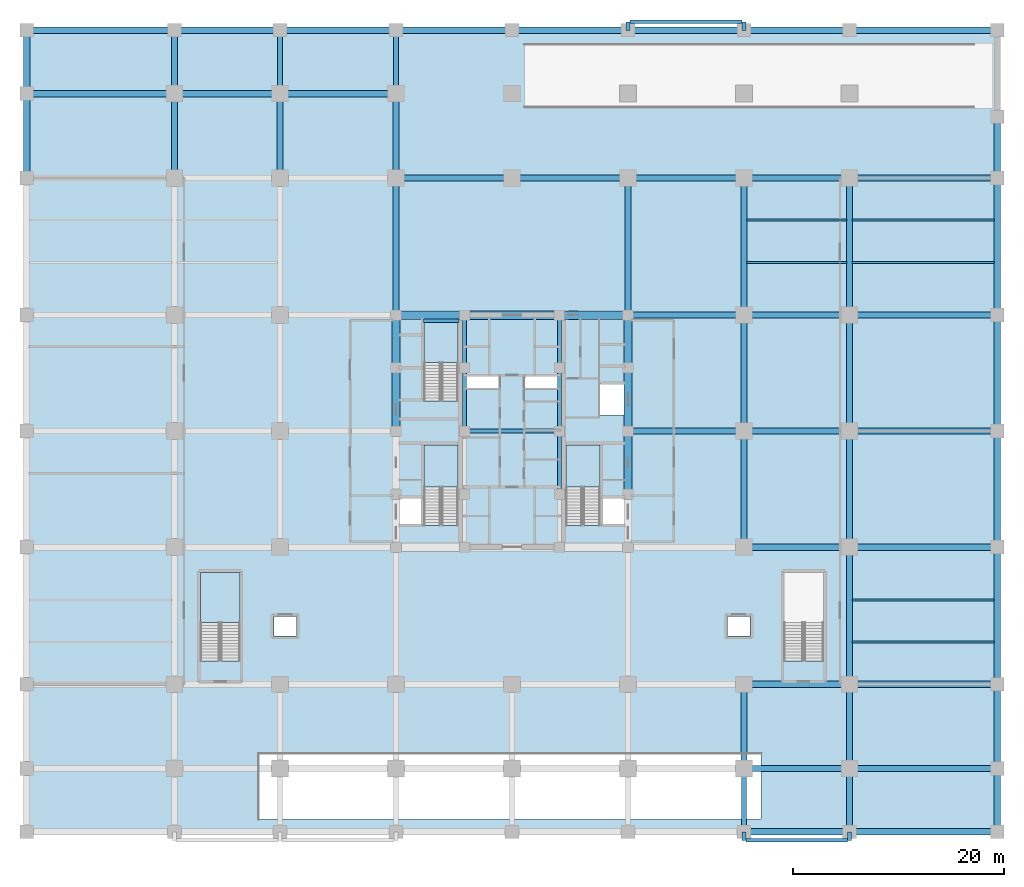
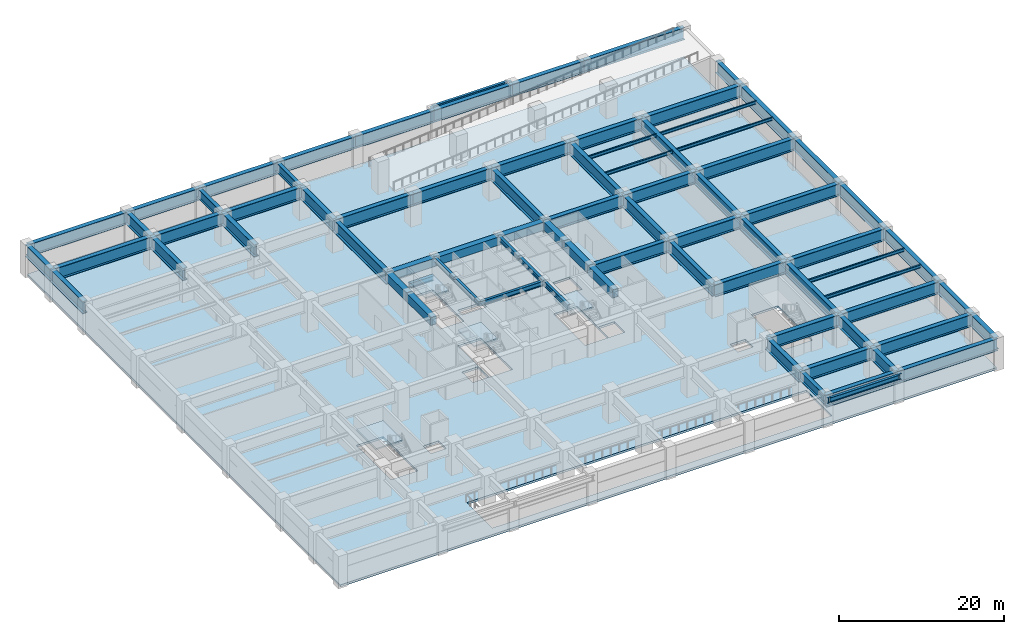
# One storey, part 2 of 13: 85 beams, 5 slabs, 4 elements without a shape of their own.
"""IFC4 building model written with IfcOpenShell, lengths in metres."""

from ifc_helpers import new_model, si_unit, direction, frame, origin, origin_2d, place, context, subcontext, project, spatial, polyline, rectangle, i_section, outline, extrude, source, transform, mapped, material, layer, layer_set, material_profile, profile_set, type_object, element, aggregate, save


model = new_model("IFC4")

# Units and contexts
model_context = context("Model", 3, precision=1e-05, world=origin(), true_north=direction((0.0, 1.0)))
body_context = subcontext(model_context, "Body", "Model", "MODEL_VIEW")
ifc_project = project(units=[si_unit("LENGTHUNIT", "METRE"), si_unit("AREAUNIT", "SQUARE_METRE"), si_unit("VOLUMEUNIT", "CUBIC_METRE"), si_unit("PLANEANGLEUNIT", "RADIAN"), si_unit("MASSUNIT", "GRAM", prefix="KILO")], contexts=[model_context])

# Site, building, storey
site_placement = place(None, origin())
site = spatial("IfcSite", under=ifc_project, at=site_placement, CompositionType="ELEMENT")
building_placement = place(site_placement, origin())
building = spatial("IfcBuilding", under=site, at=building_placement, Name="Khorayat Bourse Tower", CompositionType="ELEMENT")
storey_placement = place(building_placement, frame((0.0, 0.0, -4.800048828125)))
storey = spatial("IfcBuildingStorey", under=building, at=storey_placement, Name="B01", CompositionType="ELEMENT", Elevation=-4.800048828125)

# Beams
ifc_material_1 = material(Name="Concrete C72/90", Category="concrete")
ifc_material_profile_1 = material_profile(ifc_material_1, rectangle(XDim=0.800048828125, YDim=1.199951171875, at=origin_2d()), Name="RC 800x1200")
ifc_profile_set_1 = profile_set([ifc_material_profile_1], Name="Concrete C72/90")
beam_type_1 = type_object("IfcBeamType", Name="BM-COUP-1200", PredefinedType="BEAM", material=ifc_profile_set_1)
shared_shape_1 = source(origin(), body_context, "Body", "SweptSolid", [
    extrude(rectangle(XDim=0.800048828125, YDim=1.199951171875, at=origin_2d()), origin(), (0.0, 0.0, 1.0), 5.0),
])
for number, where, z_axis, x_axis, name in (
    (1, (-11.0, 6.0, 3.880126953125), (0.0, 1.0, 0.0), (-1.0, 0.0, 0.0), "B01 BM-COUP-1200 BM-B01-CRX-04"),
    (2, (11.0, 6.0, 3.880126953125), (0.0, 1.0, 0.0), (-1.0, 0.0, 0.0), "B01 BM-COUP-1200 BM-B01-CRX-16"),
):
    element("IfcBeam", number, at=place(storey_placement, frame(where, z_axis=z_axis, x_axis=x_axis)), inside=storey, type_object=beam_type_1, Name=name, PredefinedType="BEAM", context=body_context, shape_type="MappedRepresentation", body=[
        mapped(shared_shape_1, transform((0.0, 0.0, 0.0), scale=1.0)),
    ])
shared_shape_2 = source(origin(), body_context, "Body", "SweptSolid", [
    extrude(rectangle(XDim=0.800048828125, YDim=1.199951171875, at=origin_2d()), origin(), (0.0, 0.0, 1.0), 6.0),
])
for number, where, z_axis, x_axis, name in (
    (3, (-11.0, 0.0, 3.880126953125), (0.0, 1.0, 0.0), (-1.0, 0.0, 0.0), "B01 BM-COUP-1200 BM-B01-CRX-03"),
    (4, (11.0, -6.0, 3.880126953125), (0.0, 1.0, 0.0), (-1.0, 0.0, 0.0), "B01 BM-COUP-1200 BM-B01-CRX-14"),
    (5, (11.0, 0.0, 3.880126953125), (0.0, 1.0, 0.0), (-1.0, 0.0, 0.0), "B01 BM-COUP-1200 BM-B01-CRX-15"),
):
    element("IfcBeam", number, at=place(storey_placement, frame(where, z_axis=z_axis, x_axis=x_axis)), inside=storey, type_object=beam_type_1, Name=name, PredefinedType="BEAM", context=body_context, shape_type="MappedRepresentation", body=[
        mapped(shared_shape_2, transform((0.0, 0.0, 0.0), scale=1.0)),
    ])
ifc_material_2 = material(Name="Steel ASTM A992 Grade 50", Category="steel")
ifc_material_profile_2 = material_profile(ifc_material_2, i_section(OverallWidth=0.35498046875, OverallDepth=0.695068359375, WebThickness=0.015380859375, FlangeThickness=0.02490234375, FilletRadius=0.01806640625, at=origin_2d()), Name="W690X217")
ifc_profile_set_2 = profile_set([ifc_material_profile_2], Name="Steel ASTM A992 Grade 50")
beam_type_2 = type_object("IfcBeamType", Name="BM-GIRD-690", PredefinedType="BEAM", material=ifc_profile_set_2)
shared_shape_3 = source(origin(), body_context, "Body", "SweptSolid", [
    extrude(i_section(OverallWidth=0.35498046875, OverallDepth=0.695068359375, WebThickness=0.015380859375, FlangeThickness=0.02490234375, FilletRadius=0.01806640625, at=origin_2d()), origin(), (0.0, 0.0, 1.0), 5.0),
])
for number, where, z_axis, x_axis, name in (
    (6, (-4.5, 6.0, 4.132568359375), (0.0, 1.0, 0.0), (-1.0, 0.0, 0.0), "B01 BM-GIRD-690 BM-B01-CRX-08"),
    (7, (4.5, 6.0, 4.132568359375), (0.0, 1.0, 0.0), (-1.0, 0.0, 0.0), "B01 BM-GIRD-690 BM-B01-CRX-12"),
):
    element("IfcBeam", number, at=place(storey_placement, frame(where, z_axis=z_axis, x_axis=x_axis)), inside=storey, type_object=beam_type_2, Name=name, PredefinedType="BEAM", context=body_context, shape_type="MappedRepresentation", body=[
        mapped(shared_shape_3, transform((0.0, 0.0, 0.0), scale=1.0)),
    ])
shared_shape_4 = source(origin(), body_context, "Body", "SweptSolid", [
    extrude(i_section(OverallWidth=0.35498046875, OverallDepth=0.695068359375, WebThickness=0.015380859375, FlangeThickness=0.02490234375, FilletRadius=0.01806640625, at=origin_2d()), origin(), (0.0, 0.0, 1.0), 6.0),
])
for number, where, z_axis, x_axis, name in (
    (8, (-4.5, 0.0, 4.132568359375), (0.0, 1.0, 0.0), (-1.0, 0.0, 0.0), "B01 BM-GIRD-690 BM-B01-CRX-07"),
    (9, (4.5, -6.0, 4.132568359375), (0.0, 1.0, 0.0), (-1.0, 0.0, 0.0), "B01 BM-GIRD-690 BM-B01-CRX-10"),
    (10, (4.5, 0.0, 4.132568359375), (0.0, 1.0, 0.0), (-1.0, 0.0, 0.0), "B01 BM-GIRD-690 BM-B01-CRX-11"),
):
    element("IfcBeam", number, at=place(storey_placement, frame(where, z_axis=z_axis, x_axis=x_axis)), inside=storey, type_object=beam_type_2, Name=name, PredefinedType="BEAM", context=body_context, shape_type="MappedRepresentation", body=[
        mapped(shared_shape_4, transform((0.0, 0.0, 0.0), scale=1.0)),
    ])
shared_shape_5 = source(origin(), body_context, "Body", "SweptSolid", [
    extrude(rectangle(XDim=0.800048828125, YDim=1.199951171875, at=origin_2d()), origin(), (0.0, 0.0, 1.0), 6.5),
])
for number, where, z_axis, x_axis, name in (
    (11, (-11.0, 11.0, 3.880126953125), (1.0, 0.0, 0.0), (0.0, 1.0, 0.0), "B01 BM-COUP-1200 BM-B01-CRY-20"),
    (12, (4.5, 11.0, 3.880126953125), (1.0, 0.0, 0.0), (0.0, 1.0, 0.0), "B01 BM-COUP-1200 BM-B01-CRY-22"),
):
    element("IfcBeam", number, at=place(storey_placement, frame(where, z_axis=z_axis, x_axis=x_axis)), inside=storey, type_object=beam_type_1, Name=name, PredefinedType="BEAM", context=body_context, shape_type="MappedRepresentation", body=[
        mapped(shared_shape_5, transform((0.0, 0.0, 0.0), scale=1.0)),
    ])
shared_shape_6 = source(origin(), body_context, "Body", "SweptSolid", [
    extrude(rectangle(XDim=0.800048828125, YDim=1.199951171875, at=origin_2d()), origin(), (0.0, 0.0, 1.0), 9.0),
])
beam_1_placement = place(storey_placement, frame((-4.5, 11.0, 3.880126953125), z_axis=(1.0, 0.0, 0.0), x_axis=(0.0, 1.0, 0.0)))
element("IfcBeam", 13, at=beam_1_placement, inside=storey, type_object=beam_type_1, Name="B01 BM-COUP-1200 BM-B01-CRY-21", PredefinedType="BEAM", context=body_context, shape_type="MappedRepresentation", body=[
    mapped(shared_shape_6, transform((0.0, 0.0, 0.0), scale=1.0)),
])
shared_shape_7 = source(origin(), body_context, "Body", "SweptSolid", [
    extrude(i_section(OverallWidth=0.35498046875, OverallDepth=0.695068359375, WebThickness=0.015380859375, FlangeThickness=0.02490234375, FilletRadius=0.01806640625, at=origin_2d()), origin(), (0.0, 0.0, 1.0), 3.39990234375),
])
beam_2_placement = place(storey_placement, frame((-8.419921875, 10.449951171875, 1.8525390625), z_axis=(1.0, 0.0, 0.0), x_axis=(0.0, 1.0, 0.0)))
element("IfcBeam", 14, at=beam_2_placement, inside=storey, type_object=beam_type_2, Name="B01 BM-GIRD-690 BM-B01-ST2L", PredefinedType="BEAM", context=body_context, shape_type="MappedRepresentation", body=[
    mapped(shared_shape_7, transform((0.0, 0.0, 0.0), scale=1.0)),
])
shared_shape_8 = source(origin(), body_context, "Body", "SweptSolid", [
    extrude(i_section(OverallWidth=0.35498046875, OverallDepth=0.695068359375, WebThickness=0.015380859375, FlangeThickness=0.02490234375, FilletRadius=0.01806640625, at=origin_2d()), origin(), (0.0, 0.0, 1.0), 9.0),
])
beam_3_placement = place(storey_placement, frame((-4.5, 0.0, 4.132568359375), z_axis=(1.0, 0.0, 0.0), x_axis=(0.0, 1.0, 0.0)))
element("IfcBeam", 15, at=beam_3_placement, inside=storey, type_object=beam_type_2, Name="B01 BM-GIRD-690 BM-B01-CRY-23", PredefinedType="BEAM", context=body_context, shape_type="MappedRepresentation", body=[
    mapped(shared_shape_8, transform((0.0, 0.0, 0.0), scale=1.0)),
])
ifc_material_3 = material(Name="Steel EN 10025-4 S460M", Category="steel")
ifc_material_profile_3 = material_profile(ifc_material_3, i_section(OverallWidth=0.60009765625, OverallDepth=1.800048828125, WebThickness=0.031982421875, FlangeThickness=0.06005859375, at=origin_2d()), Name="PG 1800x600x32x60")
ifc_profile_set_3 = profile_set([ifc_material_profile_3], Name="Steel EN 10025-4 S460M")
beam_type_3 = type_object("IfcBeamType", Name="BM-TR-1800", PredefinedType="BEAM", material=ifc_profile_set_3)
shared_shape_9 = source(origin(), body_context, "Body", "SweptSolid", [
    extrude(i_section(OverallWidth=0.60009765625, OverallDepth=1.800048828125, WebThickness=0.031982421875, FlangeThickness=0.06005859375, at=origin_2d()), origin(), (0.0, 0.0, 1.0), 14.0),
])
for number, where, z_axis, x_axis, name in (
    (16, (32.0, -38.0, 3.580078125), (1.0, 0.0, 0.0), (0.0, 1.0, 0.0), "B01 BM-TR-1800 BM-B01-PGX-031"),
    (17, (32.0, -32.0, 3.580078125), (1.0, 0.0, 0.0), (0.0, 1.0, 0.0), "B01 BM-TR-1800 BM-B01-PGX-039"),
    (18, (32.0, -24.0, 3.580078125), (1.0, 0.0, 0.0), (0.0, 1.0, 0.0), "B01 BM-TR-1800 BM-B01-PGX-047"),
    (19, (32.0, -11.0, 3.580078125), (1.0, 0.0, 0.0), (0.0, 1.0, 0.0), "B01 BM-TR-1800 BM-B01-PGX-056"),
    (20, (32.0, 0.0, 3.580078125), (1.0, 0.0, 0.0), (0.0, 1.0, 0.0), "B01 BM-TR-1800 BM-B01-PGX-062"),
    (21, (32.0, 11.0, 3.580078125), (1.0, 0.0, 0.0), (0.0, 1.0, 0.0), "B01 BM-TR-1800 BM-B01-PGX-071"),
    (22, (32.0, 24.0, 3.580078125), (1.0, 0.0, 0.0), (0.0, 1.0, 0.0), "B01 BM-TR-1800 BM-B01-PGX-079"),
    (23, (-46.0, 32.0, 3.580078125), (1.0, 0.0, 0.0), (0.0, 1.0, 0.0), "B01 BM-TR-1800 BM-B01-PGX-080"),
    (24, (-46.0, 38.0, 3.580078125), (1.0, 0.0, 0.0), (0.0, 1.0, 0.0), "B01 BM-TR-1800 BM-B01-PGX-083"),
    (25, (32.0, 38.0, 3.580078125), (1.0, 0.0, 0.0), (0.0, 1.0, 0.0), "B01 BM-TR-1800 BM-B01-PGX-090"),
):
    element("IfcBeam", number, at=place(storey_placement, frame(where, z_axis=z_axis, x_axis=x_axis)), inside=storey, type_object=beam_type_3, Name=name, PredefinedType="BEAM", context=body_context, shape_type="MappedRepresentation", body=[
        mapped(shared_shape_9, transform((0.0, 0.0, 0.0), scale=1.0)),
    ])
shared_shape_10 = source(origin(), body_context, "Body", "SweptSolid", [
    extrude(i_section(OverallWidth=0.60009765625, OverallDepth=1.800048828125, WebThickness=0.031982421875, FlangeThickness=0.06005859375, at=origin_2d()), origin(), (0.0, 0.0, 1.0), 10.0),
])
for number, where, z_axis, x_axis, name in (
    (26, (22.0, -38.0, 3.580078125), (1.0, 0.0, 0.0), (0.0, 1.0, 0.0), "B01 BM-TR-1800 BM-B01-PGX-030"),
    (27, (22.0, -32.0, 3.580078125), (1.0, 0.0, 0.0), (0.0, 1.0, 0.0), "B01 BM-TR-1800 BM-B01-PGX-038"),
    (28, (22.0, -24.0, 3.580078125), (1.0, 0.0, 0.0), (0.0, 1.0, 0.0), "B01 BM-TR-1800 BM-B01-PGX-046"),
    (29, (22.0, -11.0, 3.580078125), (1.0, 0.0, 0.0), (0.0, 1.0, 0.0), "B01 BM-TR-1800 BM-B01-PGX-055"),
    (30, (22.0, 0.0, 3.580078125), (1.0, 0.0, 0.0), (0.0, 1.0, 0.0), "B01 BM-TR-1800 BM-B01-PGX-061"),
    (31, (22.0, 11.0, 3.580078125), (1.0, 0.0, 0.0), (0.0, 1.0, 0.0), "B01 BM-TR-1800 BM-B01-PGX-070"),
    (32, (22.0, 24.0, 3.580078125), (1.0, 0.0, 0.0), (0.0, 1.0, 0.0), "B01 BM-TR-1800 BM-B01-PGX-078"),
    (33, (-32.0, 32.0, 3.580078125), (1.0, 0.0, 0.0), (0.0, 1.0, 0.0), "B01 BM-TR-1800 BM-B01-PGX-081"),
    (34, (-32.0, 38.0, 3.580078125), (1.0, 0.0, 0.0), (0.0, 1.0, 0.0), "B01 BM-TR-1800 BM-B01-PGX-084"),
    (35, (22.0, 38.0, 3.580078125), (1.0, 0.0, 0.0), (0.0, 1.0, 0.0), "B01 BM-TR-1800 BM-B01-PGX-089"),
):
    element("IfcBeam", number, at=place(storey_placement, frame(where, z_axis=z_axis, x_axis=x_axis)), inside=storey, type_object=beam_type_3, Name=name, PredefinedType="BEAM", context=body_context, shape_type="MappedRepresentation", body=[
        mapped(shared_shape_10, transform((0.0, 0.0, 0.0), scale=1.0)),
    ])
shared_shape_11 = source(origin(), body_context, "Body", "SweptSolid", [
    extrude(i_section(OverallWidth=0.60009765625, OverallDepth=1.800048828125, WebThickness=0.031982421875, FlangeThickness=0.06005859375, at=origin_2d()), origin(), (0.0, 0.0, 1.0), 11.0),
])
for number, where, z_axis, x_axis, name in (
    (36, (11.0, 0.0, 3.580078125), (1.0, 0.0, 0.0), (0.0, 1.0, 0.0), "B01 BM-TR-1800 BM-B01-PGX-060"),
    (37, (11.0, 11.0, 3.580078125), (1.0, 0.0, 0.0), (0.0, 1.0, 0.0), "B01 BM-TR-1800 BM-B01-PGX-069"),
    (38, (-11.0, 24.0, 3.580078125), (1.0, 0.0, 0.0), (0.0, 1.0, 0.0), "B01 BM-TR-1800 BM-B01-PGX-075"),
    (39, (0.0, 24.0, 3.580078125), (1.0, 0.0, 0.0), (0.0, 1.0, 0.0), "B01 BM-TR-1800 BM-B01-PGX-076"),
    (40, (11.0, 24.0, 3.580078125), (1.0, 0.0, 0.0), (0.0, 1.0, 0.0), "B01 BM-TR-1800 BM-B01-PGX-077"),
    (41, (-22.0, 32.0, 3.580078125), (1.0, 0.0, 0.0), (0.0, 1.0, 0.0), "B01 BM-TR-1800 BM-B01-PGX-082"),
    (42, (-22.0, 38.0, 3.580078125), (1.0, 0.0, 0.0), (0.0, 1.0, 0.0), "B01 BM-TR-1800 BM-B01-PGX-085"),
    (43, (-11.0, 38.0, 3.580078125), (1.0, 0.0, 0.0), (0.0, 1.0, 0.0), "B01 BM-TR-1800 BM-B01-PGX-086"),
    (44, (0.0, 38.0, 3.580078125), (1.0, 0.0, 0.0), (0.0, 1.0, 0.0), "B01 BM-TR-1800 BM-B01-PGX-087"),
    (45, (11.0, 38.0, 3.580078125), (1.0, 0.0, 0.0), (0.0, 1.0, 0.0), "B01 BM-TR-1800 BM-B01-PGX-088"),
    (46, (22.0, -11.0, 3.580078125), (0.0, 1.0, 0.0), (-1.0, 0.0, 0.0), "B01 BM-TR-1800 BM-B01-PGY-133"),
    (47, (22.0, 0.0, 3.580078125), (0.0, 1.0, 0.0), (-1.0, 0.0, 0.0), "B01 BM-TR-1800 BM-B01-PGY-134"),
    (48, (32.0, -11.0, 3.580078125), (0.0, 1.0, 0.0), (-1.0, 0.0, 0.0), "B01 BM-TR-1800 BM-B01-PGY-139"),
    (49, (32.0, 0.0, 3.580078125), (0.0, 1.0, 0.0), (-1.0, 0.0, 0.0), "B01 BM-TR-1800 BM-B01-PGY-140"),
    (50, (46.0, -11.0, 3.580078125), (0.0, 1.0, 0.0), (-1.0, 0.0, 0.0), "B01 BM-TR-1800 BM-B01-PGY-145"),
    (51, (46.0, 0.0, 3.580078125), (0.0, 1.0, 0.0), (-1.0, 0.0, 0.0), "B01 BM-TR-1800 BM-B01-PGY-146"),
):
    element("IfcBeam", number, at=place(storey_placement, frame(where, z_axis=z_axis, x_axis=x_axis)), inside=storey, type_object=beam_type_3, Name=name, PredefinedType="BEAM", context=body_context, shape_type="MappedRepresentation", body=[
        mapped(shared_shape_11, transform((0.0, 0.0, 0.0), scale=1.0)),
    ])
shared_shape_12 = source(origin(), body_context, "Body", "SweptSolid", [
    extrude(i_section(OverallWidth=0.60009765625, OverallDepth=1.800048828125, WebThickness=0.031982421875, FlangeThickness=0.06005859375, at=origin_2d()), origin(), (0.0, 0.0, 1.0), 6.0),
])
for number, where, z_axis, x_axis, name in (
    (52, (-46.0, 32.0, 3.580078125), (0.0, 1.0, 0.0), (-1.0, 0.0, 0.0), "B01 BM-TR-1800 BM-B01-PGY-098"),
    (53, (-32.0, 32.0, 3.580078125), (0.0, 1.0, 0.0), (-1.0, 0.0, 0.0), "B01 BM-TR-1800 BM-B01-PGY-106"),
    (54, (32.0, -38.0, 3.580078125), (0.0, 1.0, 0.0), (-1.0, 0.0, 0.0), "B01 BM-TR-1800 BM-B01-PGY-136"),
    (55, (46.0, -38.0, 3.580078125), (0.0, 1.0, 0.0), (-1.0, 0.0, 0.0), "B01 BM-TR-1800 BM-B01-PGY-142"),
):
    element("IfcBeam", number, at=place(storey_placement, frame(where, z_axis=z_axis, x_axis=x_axis)), inside=storey, type_object=beam_type_3, Name=name, PredefinedType="BEAM", context=body_context, shape_type="MappedRepresentation", body=[
        mapped(shared_shape_12, transform((0.0, 0.0, 0.0), scale=1.0)),
    ])
shared_shape_13 = source(origin(), body_context, "Body", "SweptSolid", [
    extrude(i_section(OverallWidth=0.60009765625, OverallDepth=1.800048828125, WebThickness=0.031982421875, FlangeThickness=0.06005859375, at=origin_2d()), origin(), (0.0, 0.0, 1.0), 8.0),
])
for number, where, z_axis, x_axis, name in (
    (56, (-46.0, 24.0, 3.580078125), (0.0, 1.0, 0.0), (-1.0, 0.0, 0.0), "B01 BM-TR-1800 BM-B01-PGY-097"),
    (57, (-32.0, 24.0, 3.580078125), (0.0, 1.0, 0.0), (-1.0, 0.0, 0.0), "B01 BM-TR-1800 BM-B01-PGY-105"),
    (58, (-22.0, 24.0, 3.580078125), (0.0, 1.0, 0.0), (-1.0, 0.0, 0.0), "B01 BM-TR-1800 BM-B01-PGY-112"),
    (59, (-11.0, 24.0, 3.580078125), (0.0, 1.0, 0.0), (-1.0, 0.0, 0.0), "B01 BM-TR-1800 BM-B01-PGY-121"),
    (60, (22.0, -32.0, 3.580078125), (0.0, 1.0, 0.0), (-1.0, 0.0, 0.0), "B01 BM-TR-1800 BM-B01-PGY-132"),
    (61, (32.0, -32.0, 3.580078125), (0.0, 1.0, 0.0), (-1.0, 0.0, 0.0), "B01 BM-TR-1800 BM-B01-PGY-137"),
    (62, (46.0, -32.0, 3.580078125), (0.0, 1.0, 0.0), (-1.0, 0.0, 0.0), "B01 BM-TR-1800 BM-B01-PGY-143"),
):
    element("IfcBeam", number, at=place(storey_placement, frame(where, z_axis=z_axis, x_axis=x_axis)), inside=storey, type_object=beam_type_3, Name=name, PredefinedType="BEAM", context=body_context, shape_type="MappedRepresentation", body=[
        mapped(shared_shape_13, transform((0.0, 0.0, 0.0), scale=1.0)),
    ])
shared_shape_14 = source(origin(), body_context, "Body", "SweptSolid", [
    extrude(i_section(OverallWidth=0.60009765625, OverallDepth=1.800048828125, WebThickness=0.031982421875, FlangeThickness=0.06005859375, at=origin_2d()), origin(), (0.0, 0.0, 1.0), 13.0),
])
for number, where, z_axis, x_axis, name in (
    (63, (-11.0, 11.0, 3.580078125), (0.0, 1.0, 0.0), (-1.0, 0.0, 0.0), "B01 BM-TR-1800 BM-B01-PGY-120"),
    (64, (11.0, 11.0, 3.580078125), (0.0, 1.0, 0.0), (-1.0, 0.0, 0.0), "B01 BM-TR-1800 BM-B01-PGY-130"),
    (65, (22.0, 11.0, 3.580078125), (0.0, 1.0, 0.0), (-1.0, 0.0, 0.0), "B01 BM-TR-1800 BM-B01-PGY-135"),
    (66, (32.0, -24.0, 3.580078125), (0.0, 1.0, 0.0), (-1.0, 0.0, 0.0), "B01 BM-TR-1800 BM-B01-PGY-138"),
    (67, (32.0, 11.0, 3.580078125), (0.0, 1.0, 0.0), (-1.0, 0.0, 0.0), "B01 BM-TR-1800 BM-B01-PGY-141"),
    (68, (46.0, -24.0, 3.580078125), (0.0, 1.0, 0.0), (-1.0, 0.0, 0.0), "B01 BM-TR-1800 BM-B01-PGY-144"),
    (69, (46.0, 11.0, 3.580078125), (0.0, 1.0, 0.0), (-1.0, 0.0, 0.0), "B01 BM-TR-1800 BM-B01-PGY-147"),
):
    element("IfcBeam", number, at=place(storey_placement, frame(where, z_axis=z_axis, x_axis=x_axis)), inside=storey, type_object=beam_type_3, Name=name, PredefinedType="BEAM", context=body_context, shape_type="MappedRepresentation", body=[
        mapped(shared_shape_14, transform((0.0, 0.0, 0.0), scale=1.0)),
    ])
ifc_material_profile_4 = material_profile(ifc_material_3, i_section(OverallWidth=0.5, OverallDepth=1.39990234375, WebThickness=0.02490234375, FlangeThickness=0.050048828125, at=origin_2d()), Name="PG 1400x500x25x50")
ifc_profile_set_4 = profile_set([ifc_material_profile_4], Name="Steel EN 10025-4 S460M")
beam_type_4 = type_object("IfcBeamType", Name="BM-TR-1400", PredefinedType="BEAM", material=ifc_profile_set_4)
shared_shape_15 = source(origin(), body_context, "Body", "SweptSolid", [
    extrude(i_section(OverallWidth=0.5, OverallDepth=1.39990234375, WebThickness=0.02490234375, FlangeThickness=0.050048828125, at=origin_2d()), origin(), (0.0, 0.0, 1.0), 6.0),
])
for number, where, z_axis, x_axis, name in (
    (70, (-22.0, 32.0, 3.780029296875), (0.0, 1.0, 0.0), (-1.0, 0.0, 0.0), "B01 BM-TR-1400 BM-B01-PGY-113"),
    (71, (-11.0, 32.0, 3.780029296875), (0.0, 1.0, 0.0), (-1.0, 0.0, 0.0), "B01 BM-TR-1400 BM-B01-PGY-122"),
    (72, (22.0, -38.0, 3.780029296875), (0.0, 1.0, 0.0), (-1.0, 0.0, 0.0), "B01 BM-TR-1400 BM-B01-PGY-131"),
):
    element("IfcBeam", number, at=place(storey_placement, frame(where, z_axis=z_axis, x_axis=x_axis)), inside=storey, type_object=beam_type_4, Name=name, PredefinedType="BEAM", context=body_context, shape_type="MappedRepresentation", body=[
        mapped(shared_shape_15, transform((0.0, 0.0, 0.0), scale=1.0)),
    ])
shared_shape_16 = source(origin(), body_context, "Body", "SweptSolid", [
    extrude(i_section(OverallWidth=0.60009765625, OverallDepth=1.800048828125, WebThickness=0.031982421875, FlangeThickness=0.06005859375, at=origin_2d()), origin(), (0.0, 0.0, 1.0), 5.800048828125),
])
beam_4_placement = place(storey_placement, frame((46.0, 24.0, 3.580078125), z_axis=(0.0, 1.0, 0.0), x_axis=(-1.0, 0.0, 0.0)))
element("IfcBeam", 73, at=beam_4_placement, inside=storey, type_object=beam_type_3, Name="B01 BM-TR-1800 BM-B01-PGY-148", PredefinedType="BEAM", context=body_context, shape_type="MappedRepresentation", body=[
    mapped(shared_shape_16, transform((0.0, 0.0, 0.0), scale=1.0)),
])
ifc_material_profile_5 = material_profile(ifc_material_2, i_section(OverallWidth=0.194091796875, OverallDepth=0.468994140625, WebThickness=0.0126953125, FlangeThickness=0.0205078125, FilletRadius=0.012939453125, at=origin_2d()), Name="W460X106")
ifc_profile_set_5 = profile_set([ifc_material_profile_5], Name="Steel ASTM A992 Grade 50")
beam_type_5 = type_object("IfcBeamType", Name="BM-JOIST-460", PredefinedType="JOIST", material=ifc_profile_set_5)
shared_shape_17 = source(origin(), body_context, "Body", "SweptSolid", [
    extrude(i_section(OverallWidth=0.194091796875, OverallDepth=0.468994140625, WebThickness=0.0126953125, FlangeThickness=0.0205078125, FilletRadius=0.012939453125, at=origin_2d()), origin(), (0.0, 0.0, 1.0), 13.52001953125),
])
for number, where, z_axis, x_axis, name in (
    (74, (32.239990234375, -20.0, 4.24560546875), (1.0, 0.0, 0.0), (0.0, 1.0, 0.0), "B01 BM-JOIST-460 BM-B01-PJ-150"),
    (75, (32.239990234375, -16.0, 4.24560546875), (1.0, 0.0, 0.0), (0.0, 1.0, 0.0), "B01 BM-JOIST-460 BM-B01-PJ-152"),
    (76, (32.239990234375, 16.0, 4.24560546875), (1.0, 0.0, 0.0), (0.0, 1.0, 0.0), "B01 BM-JOIST-460 BM-B01-PJ-156"),
    (77, (32.239990234375, 20.0, 4.24560546875), (1.0, 0.0, 0.0), (0.0, 1.0, 0.0), "B01 BM-JOIST-460 BM-B01-PJ-160"),
):
    element("IfcBeam", number, at=place(storey_placement, frame(where, z_axis=z_axis, x_axis=x_axis)), inside=storey, type_object=beam_type_5, Name=name, PredefinedType="JOIST", context=body_context, shape_type="MappedRepresentation", body=[
        mapped(shared_shape_17, transform((0.0, 0.0, 0.0), scale=1.0)),
    ])
shared_shape_18 = source(origin(), body_context, "Body", "SweptSolid", [
    extrude(i_section(OverallWidth=0.194091796875, OverallDepth=0.468994140625, WebThickness=0.0126953125, FlangeThickness=0.0205078125, FilletRadius=0.012939453125, at=origin_2d()), origin(), (0.0, 0.0, 1.0), 9.52001953125),
])
for number, where, z_axis, x_axis, name in (
    (78, (22.239990234375, 16.0, 4.24560546875), (1.0, 0.0, 0.0), (0.0, 1.0, 0.0), "B01 BM-JOIST-460 BM-B01-PJ-155"),
    (79, (22.239990234375, 20.0, 4.24560546875), (1.0, 0.0, 0.0), (0.0, 1.0, 0.0), "B01 BM-JOIST-460 BM-B01-PJ-159"),
):
    element("IfcBeam", number, at=place(storey_placement, frame(where, z_axis=z_axis, x_axis=x_axis)), inside=storey, type_object=beam_type_5, Name=name, PredefinedType="JOIST", context=body_context, shape_type="MappedRepresentation", body=[
        mapped(shared_shape_18, transform((0.0, 0.0, 0.0), scale=1.0)),
    ])
ifc_material_profile_6 = material_profile(ifc_material_2, i_section(OverallWidth=0.39990234375, OverallDepth=0.85498046875, WebThickness=0.018310546875, FlangeThickness=0.029296875, FilletRadius=0.02001953125, at=origin_2d()), Name="W840X299")
ifc_profile_set_6 = profile_set([ifc_material_profile_6], Name="Steel ASTM A992 Grade 50")
beam_type_6 = type_object("IfcBeamType", Name="BM-GIRD-840", PredefinedType="BEAM", material=ifc_profile_set_6)
shared_shape_19 = source(origin(), body_context, "Body", "SweptSolid", [
    extrude(i_section(OverallWidth=0.39990234375, OverallDepth=0.85498046875, WebThickness=0.018310546875, FlangeThickness=0.029296875, FilletRadius=0.02001953125, at=origin_2d()), origin(), (0.0, 0.0, 1.0), 0.800048828125),
])
for number, where, z_axis, x_axis, name in (
    (80, (22.0, -38.800048828125, 4.012451171875), (0.0, 1.0, 0.0), (-1.0, 0.0, 0.0), "B01 BM-GIRD-840 BM-B01-RBRK-3-1"),
    (81, (32.0, -38.800048828125, 4.012451171875), (0.0, 1.0, 0.0), (-1.0, 0.0, 0.0), "B01 BM-GIRD-840 BM-B01-RBRK-3-2"),
    (82, (11.0, 38.0, 4.012451171875), (0.0, 1.0, 0.0), (-1.0, 0.0, 0.0), "B01 BM-GIRD-840 BM-B01-RBRK-4-1"),
    (83, (22.0, 38.0, 4.012451171875), (0.0, 1.0, 0.0), (-1.0, 0.0, 0.0), "B01 BM-GIRD-840 BM-B01-RBRK-4-2"),
):
    element("IfcBeam", number, at=place(storey_placement, frame(where, z_axis=z_axis, x_axis=x_axis)), inside=storey, type_object=beam_type_6, Name=name, PredefinedType="BEAM", context=body_context, shape_type="MappedRepresentation", body=[
        mapped(shared_shape_19, transform((0.0, 0.0, 0.0), scale=1.0)),
    ])
shared_shape_20 = source(origin(), body_context, "Body", "SweptSolid", [
    extrude(i_section(OverallWidth=0.35498046875, OverallDepth=0.695068359375, WebThickness=0.015380859375, FlangeThickness=0.02490234375, FilletRadius=0.01806640625, at=origin_2d()), origin(), (0.0, 0.0, 1.0), 10.60009765625),
])
beam_5_placement = place(storey_placement, frame((11.199951171875, 38.800048828125, 4.092529296875), z_axis=(1.0, 0.0, 0.0), x_axis=(0.0, 1.0, 0.0)))
element("IfcBeam", 84, at=beam_5_placement, inside=storey, type_object=beam_type_2, Name="B01 BM-GIRD-690 BM-B01-RSLP-4", PredefinedType="BEAM", context=body_context, shape_type="MappedRepresentation", body=[
    mapped(shared_shape_20, transform((0.0, 0.0, 0.0), scale=1.0)),
])
shared_shape_21 = source(origin(), body_context, "Body", "SweptSolid", [
    extrude(i_section(OverallWidth=0.35498046875, OverallDepth=0.695068359375, WebThickness=0.015380859375, FlangeThickness=0.02490234375, FilletRadius=0.01806640625, at=origin_2d()), origin(), (0.0, 0.0, 1.0), 9.60009765625),
])
beam_6_placement = place(storey_placement, frame((22.199951171875, -38.800048828125, 4.092529296875), z_axis=(1.0, 0.0, 0.0), x_axis=(0.0, 1.0, 0.0)))
element("IfcBeam", 85, at=beam_6_placement, inside=storey, type_object=beam_type_2, Name="B01 BM-GIRD-690 BM-B01-RSLP-3", PredefinedType="BEAM", context=body_context, shape_type="MappedRepresentation", body=[
    mapped(shared_shape_21, transform((0.0, 0.0, 0.0), scale=1.0)),
])

# Stair, slab
ifc_material_4 = material(Name="Concrete C40/50", Category="concrete")
stair_type_1 = type_object("IfcStairType", Name="STR-CORE-1550", PredefinedType="HALF_TURN_STAIR", material=ifc_material_4)
stair_1_placement = place(storey_placement, origin())
stair_1 = element("IfcStair", 86, at=stair_1_placement, inside=storey, type_object=stair_type_1, Name="B01 Exit Stair ST-1", PredefinedType="HALF_TURN_STAIR")
ifc_layer_1 = layer(ifc_material_4, 0.199951171875)
ifc_layer_set_1 = layer_set([ifc_layer_1], Name="Concrete C40/50")
slab_type_1 = type_object("IfcSlabType", Name="SLB-LANDING-200", PredefinedType="LANDING", material=ifc_layer_set_1)
slab_1_placement = place(storey_placement, frame((0.0, 0.0, 2.199951171875)))
slab_1 = element("IfcSlab", 87, at=slab_1_placement, type_object=slab_type_1, Name="ST-1 landing 1", PredefinedType="LANDING", context=body_context, shape_type="SweptSolid", body=[
    extrude(outline(polyline([(-5.10009765625, -5.31005859375), (-5.10009765625, -1.300048828125), (-8.35009765625, -1.300048828125), (-8.35009765625, -5.31005859375), (-5.10009765625, -5.31005859375)])), origin(), (0.0, 0.0, 1.0), 0.2001953125),
])
aggregate(stair_1, [slab_1])

stair_2_placement = place(storey_placement, origin())
stair_2 = element("IfcStair", 88, at=stair_2_placement, inside=storey, type_object=stair_type_1, Name="B01 Exit Stair ST-2", PredefinedType="HALF_TURN_STAIR")
slab_2_placement = place(storey_placement, frame((0.0, 0.0, 2.199951171875)))
slab_2 = element("IfcSlab", 89, at=slab_2_placement, type_object=slab_type_1, Name="ST-2 landing 1", PredefinedType="LANDING", context=body_context, shape_type="SweptSolid", body=[
    extrude(outline(polyline([(-5.10009765625, 6.489990234375), (-5.10009765625, 10.5), (-8.35009765625, 10.5), (-8.35009765625, 6.489990234375), (-5.10009765625, 6.489990234375)])), origin(), (0.0, 0.0, 1.0), 0.2001953125),
])
aggregate(stair_2, [slab_2])

stair_3_placement = place(storey_placement, origin())
stair_3 = element("IfcStair", 90, at=stair_3_placement, inside=storey, type_object=stair_type_1, Name="B01 Exit Stair ST-3", PredefinedType="HALF_TURN_STAIR")
slab_3_placement = place(storey_placement, frame((0.0, 0.0, 2.199951171875)))
slab_3 = element("IfcSlab", 91, at=slab_3_placement, type_object=slab_type_1, Name="ST-3 landing 1", PredefinedType="LANDING", context=body_context, shape_type="SweptSolid", body=[
    extrude(outline(polyline([(8.35009765625, -5.31005859375), (8.35009765625, -1.300048828125), (5.10009765625, -1.300048828125), (5.10009765625, -5.31005859375), (8.35009765625, -5.31005859375)])), origin(), (0.0, 0.0, 1.0), 0.2001953125),
])
aggregate(stair_3, [slab_3])

stair_type_2 = type_object("IfcStairType", Name="STR-POD-1800", PredefinedType="HALF_TURN_STAIR", material=ifc_material_4)
stair_4_placement = place(storey_placement, origin())
stair_4 = element("IfcStair", 92, at=stair_4_placement, inside=storey, type_object=stair_type_2, Name="B01 Exit Stair ST-P1", PredefinedType="HALF_TURN_STAIR")
slab_4_placement = place(storey_placement, frame((0.0, 0.0, 2.199951171875)))
slab_4 = element("IfcSlab", 93, at=slab_4_placement, type_object=slab_type_1, Name="ST-P1 landing 1", PredefinedType="LANDING", context=body_context, shape_type="SweptSolid", body=[
    extrude(outline(polyline([(-25.800048828125, -18.159912109375), (-25.800048828125, -13.39990234375), (-29.550048828125, -13.39990234375), (-29.550048828125, -18.159912109375), (-25.800048828125, -18.159912109375)])), origin(), (0.0, 0.0, 1.0), 0.2001953125),
])
aggregate(stair_4, [slab_4])

# Slab
ifc_layer_2 = layer(ifc_material_4, 0.320068359375)
ifc_layer_set_2 = layer_set([ifc_layer_2], Name="Concrete C40/50")
slab_type_2 = type_object("IfcSlabType", Name="SLB-POD-320", PredefinedType="FLOOR", material=ifc_layer_set_2)
slab_5_placement = place(storey_placement, frame((0.0, 0.0, -0.320068359375)))
element("IfcSlab", 94, at=slab_5_placement, inside=storey, type_object=slab_type_2, Name="B01 Main Floor Slab", PredefinedType="FLOOR", context=body_context, shape_type="SweptSolid", body=[
    extrude(outline(polyline([(-46.0, -38.0), (46.0, -38.0), (46.0, 38.0), (-46.0, 38.0), (-46.0, -38.0)]), holes=[polyline([(-8.35009765625, -8.945068359375), (-5.10009765625, -8.945068359375), (-5.10009765625, -1.300048828125), (-8.35009765625, -1.300048828125), (-8.35009765625, -8.945068359375)]), polyline([(-8.35009765625, 2.85498046875), (-5.10009765625, 2.85498046875), (-5.10009765625, 10.5), (-8.35009765625, 10.5), (-8.35009765625, 2.85498046875)]), polyline([(5.10009765625, -8.945068359375), (8.35009765625, -8.945068359375), (8.35009765625, -1.300048828125), (5.10009765625, -1.300048828125), (5.10009765625, -8.945068359375)]), polyline([(-29.550048828125, -21.794921875), (-25.800048828125, -21.794921875), (-25.800048828125, -13.39990234375), (-29.550048828125, -13.39990234375), (-29.550048828125, -21.794921875)]), polyline([(25.800048828125, -21.794921875), (29.550048828125, -21.794921875), (29.550048828125, -13.39990234375), (25.800048828125, -13.39990234375), (25.800048828125, -21.794921875)]), polyline([(-22.580078125, -19.429931640625), (-20.419921875, -19.429931640625), (-20.419921875, -17.570068359375), (-22.580078125, -17.570068359375), (-22.580078125, -19.429931640625)]), polyline([(20.419921875, -19.429931640625), (22.580078125, -19.429931640625), (22.580078125, -17.570068359375), (20.419921875, -17.570068359375), (20.419921875, -19.429931640625)]), polyline([(-10.679931640625, -8.929931640625), (-8.419921875, -8.929931640625), (-8.419921875, -6.3701171875), (-10.679931640625, -6.3701171875), (-10.679931640625, -8.929931640625)]), polyline([(8.419921875, -8.929931640625), (10.679931640625, -8.929931640625), (10.679931640625, -6.3701171875), (8.419921875, -6.3701171875), (8.419921875, -8.929931640625)]), polyline([(8.320068359375, 1.52001953125), (10.679931640625, 1.52001953125), (10.679931640625, 4.47998046875), (8.320068359375, 4.47998046875), (8.320068359375, 1.52001953125)]), polyline([(-4.56005859375, 4.080078125), (-1.18994140625, 4.080078125), (-1.18994140625, 5.219970703125), (-4.56005859375, 5.219970703125), (-4.56005859375, 4.080078125)]), polyline([(1.18994140625, 4.080078125), (4.56005859375, 4.080078125), (4.56005859375, 5.219970703125), (1.18994140625, 5.219970703125), (1.18994140625, 4.080078125)]), polyline([(-24.0, -36.800048828125), (23.60009765625, -36.800048828125), (23.60009765625, -30.60009765625), (-24.0, -30.60009765625), (-24.0, -36.800048828125)])]), origin(), (0.0, 0.0, 1.0), 0.320068359375),
])

save(model, "model.ifc")
